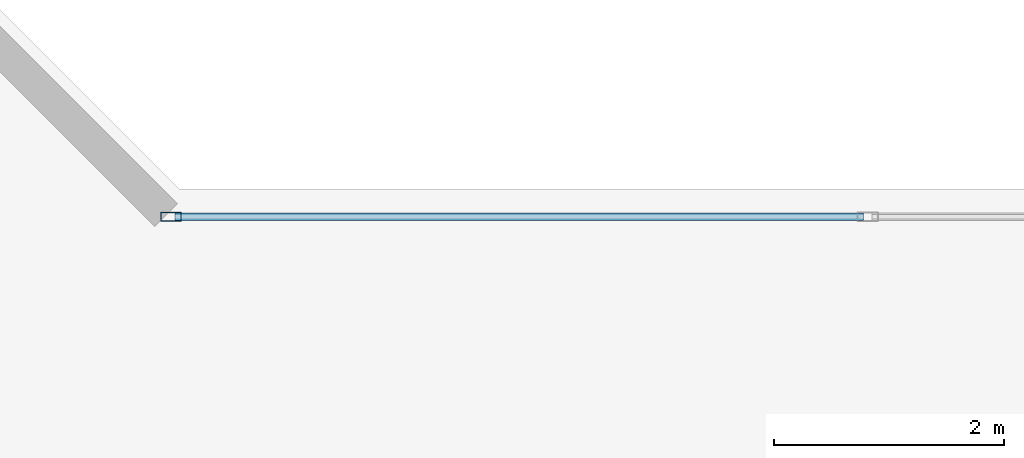
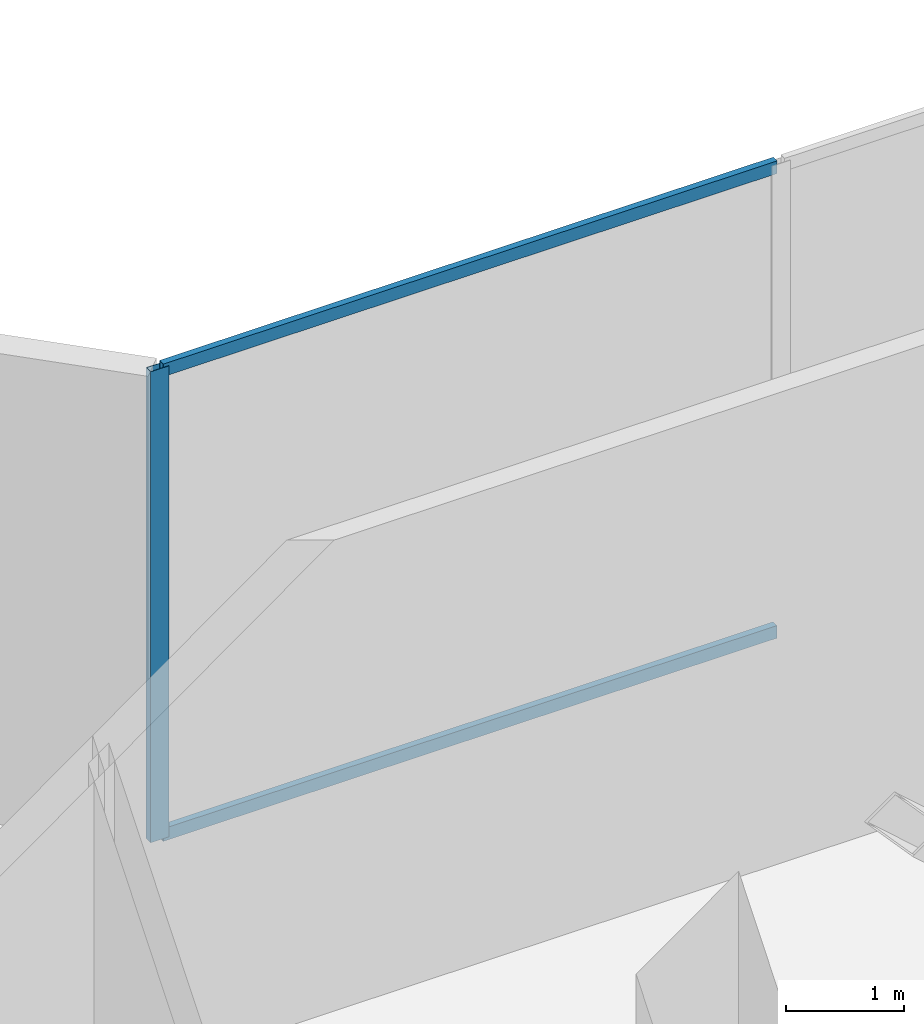
# One storey, part 12 of 37: 3 members, 1 element without a shape of its own.
"""IFC4 building model written with IfcOpenShell, lengths in metres."""

import ifcopenshell
import ifcopenshell.guid

model = None  # the IFC model being written
_history = None  # IfcOwnerHistory: only IFC2X3 demands one
_inside = {}  # id of a spatial element -> (the spatial element, [elements in it])
_under = {}  # id of a project, library or spatial element -> (it, [spatial elements below it])
_declared = {}  # id of a project -> (the project, [libraries it declares])
_typed = {}  # id of a type object -> (the type object, [elements of that type])
_made_of = {}  # id of a material, layer set ... -> (it, [elements and type objects made of it])


def new_model(schema):
    """Start an empty IFC model of exactly this schema.

    Asked for "IFC4X3", IfcOpenShell would pick the latest addendum, in which some entities
    have other attributes; the version numbers below select the first issue.
    IFC2X3 requires an IfcOwnerHistory on every rooted entity: one is made here for all.
    """
    global model, _history
    if schema == "IFC4X3":
        model = ifcopenshell.file(schema_version=(4, 3, 0, 0))
    else:
        model = ifcopenshell.file(schema=schema)
    _inside.clear()
    _under.clear()
    _declared.clear()
    _typed.clear()
    _made_of.clear()
    _history = None
    if model.schema == "IFC2X3":
        org = make("IfcOrganization", Name="unknown")
        user = make(
            "IfcPersonAndOrganization",
            ThePerson=make("IfcPerson", FamilyName="unknown"),
            TheOrganization=org,
        )
        app = make(
            "IfcApplication",
            ApplicationDeveloper=org,
            Version="unknown",
            ApplicationFullName="unknown",
            ApplicationIdentifier="unknown",
        )
        _history = make(
            "IfcOwnerHistory",
            OwningUser=user,
            OwningApplication=app,
            ChangeAction="ADDED",
            CreationDate=0,
        )
    return model


def make(cls, **values):
    """One entity of the class cls with the attributes given. An attribute that is None is left unset."""
    return model.create_entity(
        cls, **{name: value for name, value in values.items() if value is not None}
    )


def rooted(cls, **values):
    """An entity with a GlobalId (a new one), such as an element, a storey or a relation."""
    return make(cls, GlobalId=ifcopenshell.guid.new(), OwnerHistory=_history, **values)


def si_unit(unit_type, name, prefix=None):
    """IfcSIUnit, for example si_unit("LENGTHUNIT", "METRE", prefix="MILLI")."""
    return make("IfcSIUnit", UnitType=unit_type, Prefix=prefix, Name=name)


def assignment(units):
    """IfcUnitAssignment: the units of a project."""
    return None if units is None else make("IfcUnitAssignment", Units=units)


def point(xyz):
    """IfcCartesianPoint."""
    return None if xyz is None else make("IfcCartesianPoint", Coordinates=xyz)


def direction(xyz):
    """IfcDirection."""
    return None if xyz is None else make("IfcDirection", DirectionRatios=xyz)


def frame(location, z_axis=None, x_axis=None):
    """IfcAxis2Placement3D, a coordinate frame: its origin and axes. An axis left out is left unset."""
    return make(
        "IfcAxis2Placement3D",
        Location=point(location),
        Axis=direction(z_axis),
        RefDirection=direction(x_axis),
    )


def frame_2d(location, x_axis=None):
    """IfcAxis2Placement2D, a coordinate frame in the plane: its origin and x axis."""
    return make(
        "IfcAxis2Placement2D", Location=point(location), RefDirection=direction(x_axis)
    )


def origin():
    """The frame at (0, 0, 0) with its axes left unset."""
    return frame((0.0, 0.0, 0.0))


def origin_with_axes():
    """The frame at (0, 0, 0) with the z axis (0, 0, 1) and the x axis (1, 0, 0) written out."""
    return frame((0.0, 0.0, 0.0), z_axis=(0.0, 0.0, 1.0), x_axis=(1.0, 0.0, 0.0))


def origin_2d():
    """The frame at (0, 0) in the plane with its x axis left unset."""
    return frame_2d((0.0, 0.0))


def place(relative_to, where):
    """IfcLocalPlacement: puts the frame where relative to a parent placement (None: the world)."""
    return make(
        "IfcLocalPlacement", PlacementRelTo=relative_to, RelativePlacement=where
    )


def context(
    kind, dimensions, precision=None, world=None, true_north=None, identifier=None
):
    """IfcGeometricRepresentationContext, for example the 3D "Model" context."""
    return make(
        "IfcGeometricRepresentationContext",
        ContextIdentifier=identifier,
        ContextType=kind,
        CoordinateSpaceDimension=dimensions,
        Precision=precision,
        WorldCoordinateSystem=world,
        TrueNorth=true_north,
    )


def subcontext(parent, identifier, kind, view, scale=None):
    """IfcGeometricRepresentationSubContext, for example "Body" below "Model"."""
    return make(
        "IfcGeometricRepresentationSubContext",
        ContextIdentifier=identifier,
        ContextType=kind,
        ParentContext=parent,
        TargetScale=scale,
        TargetView=view,
    )


def project(units=None, contexts=None):
    """IfcProject with its units and contexts."""
    return rooted(
        "IfcProject",
        Name="project",
        RepresentationContexts=contexts,
        UnitsInContext=assignment(units),
    )


def spatial(cls, under=None, at=None, **own):
    """A site, building, storey or space (cls), placed at a placement, below another one or the project."""
    s = rooted(cls, ObjectPlacement=at, **own)
    if under is not None:
        _under.setdefault(under.id(), (under, []))[1].append(s)
    return s


def profile(cls, at=None, kind="AREA", **sizes):
    """A parametric profile (cls). Its sizes go by their IFC names, for example OverallWidth=200.0."""
    return make(cls, ProfileType=kind, Position=at, **sizes)


def hollow_rectangle(**sizes):
    """IfcRectangleHollowProfileDef."""
    return profile("IfcRectangleHollowProfileDef", **sizes)


def extrude(swept, where, along, depth):
    """IfcExtrudedAreaSolid: the profile swept, set in the frame where, extruded along a direction by depth."""
    return make(
        "IfcExtrudedAreaSolid",
        SweptArea=swept,
        Position=where,
        ExtrudedDirection=direction(along),
        Depth=depth,
    )


def shape(context_of_items, identifier, shape_type, items):
    """IfcShapeRepresentation: the items that make up one representation, for example the "Body"."""
    return make(
        "IfcShapeRepresentation",
        ContextOfItems=context_of_items,
        RepresentationIdentifier=identifier,
        RepresentationType=shape_type,
        Items=items,
    )


def source(mapping_origin, context_of_items, identifier, shape_type, items):
    """IfcRepresentationMap: a shape defined once, which mapped items show again and again."""
    return make(
        "IfcRepresentationMap",
        MappingOrigin=mapping_origin,
        MappedRepresentation=shape(context_of_items, identifier, shape_type, items),
    )


def transform(
    local_origin,
    x_axis=None,
    y_axis=None,
    z_axis=None,
    scale=None,
    scale2=None,
    scale3=None,
    uniform=True,
):
    """IfcCartesianTransformationOperator3D, or its non-uniform kind. x_axis, y_axis, z_axis: its Axis1, 2, 3."""
    if uniform:
        return make(
            "IfcCartesianTransformationOperator3D",
            Axis1=direction(x_axis),
            Axis2=direction(y_axis),
            LocalOrigin=point(local_origin),
            Scale=scale,
            Axis3=direction(z_axis),
        )
    return make(
        "IfcCartesianTransformationOperator3DnonUniform",
        Axis1=direction(x_axis),
        Axis2=direction(y_axis),
        LocalOrigin=point(local_origin),
        Scale=scale,
        Axis3=direction(z_axis),
        Scale2=scale2,
        Scale3=scale3,
    )


def mapped(mapping_source, mapping_target):
    """IfcMappedItem: shows the shape of a source again, moved by a transform."""
    return make(
        "IfcMappedItem", MappingSource=mapping_source, MappingTarget=mapping_target
    )


def material(Name=None, Category=None):
    """IfcMaterial."""
    return make("IfcMaterial", Name=Name, Category=Category)


def layer(
    of_material, thickness, ventilated=None, Name=None, Category=None, Priority=None
):
    """IfcMaterialLayer: one layer of a wall or slab, of a material (None: an air gap)."""
    return make(
        "IfcMaterialLayer",
        Material=of_material,
        LayerThickness=thickness,
        IsVentilated=ventilated,
        Name=Name,
        Category=Category,
        Priority=Priority,
    )


def layer_set(layers, Name=None):
    """IfcMaterialLayerSet."""
    return make("IfcMaterialLayerSet", MaterialLayers=layers, LayerSetName=Name)


def material_profile(
    of_material, cross_section, Name=None, Category=None, Priority=None
):
    """IfcMaterialProfile: a cross section and its material."""
    return make(
        "IfcMaterialProfile",
        Name=Name,
        Material=of_material,
        Profile=cross_section,
        Priority=Priority,
        Category=Category,
    )


def profile_set(profiles, Name=None, composite=None):
    """IfcMaterialProfileSet."""
    return make(
        "IfcMaterialProfileSet",
        Name=Name,
        MaterialProfiles=profiles,
        CompositeProfile=composite,
    )


def made_of(thing, what):
    """Note that an element or type object is made of a material, layer set ...; save() writes the relation."""
    if what is not None:
        _made_of.setdefault(what.id(), (what, []))[1].append(thing)
    return thing


def type_object(cls, material=None, **own):
    """A type object (cls), such as IfcWallType, which elements share."""
    return made_of(rooted(cls, **own), material)


def element(
    cls,
    number,
    at=None,
    inside=None,
    cuts=None,
    type_object=None,
    material=None,
    context=None,
    identifier="Body",
    shape_type=None,
    held_by="IfcProductDefinitionShape",
    body=None,
    shapes=None,
    **own,
):
    """One element of the class cls, such as IfcWall. Its Tag is "e" and its number.

    at: its placement. inside: the storey or other place that contains it. cuts: it is an
    opening in that element (IfcRelVoidsElement). A single representation is given by context,
    identifier, shape_type and body (its items); several are given by shapes. held_by: the class
    of the entity that holds the representations. save() writes the other relations.
    """
    e = rooted(cls, Tag="e%d" % number, ObjectPlacement=at, **own)
    if body is not None:
        shapes = [shape(context, identifier, shape_type, body)]
    if shapes is not None:
        e.Representation = make(held_by, Representations=shapes)
    if inside is not None:
        _inside.setdefault(inside.id(), (inside, []))[1].append(e)
    if cuts is not None:
        rooted(
            "IfcRelVoidsElement", RelatingBuildingElement=cuts, RelatedOpeningElement=e
        )
    if type_object is not None:
        _typed.setdefault(type_object.id(), (type_object, []))[1].append(e)
    return made_of(e, material)


def aggregate(whole, parts):
    """IfcRelAggregates: a whole, such as a stair, and the parts it consists of."""
    return rooted("IfcRelAggregates", RelatingObject=whole, RelatedObjects=parts)


def save(model, path):
    """Write the relations noted so far, then the file.

    IfcRelAggregates (storeys below a building ...), IfcRelContainedInSpatialStructure (elements
    in a storey), IfcRelDefinesByType, IfcRelAssociatesMaterial and IfcRelDeclares: one each for
    every whole, place, type object, material and project.
    """
    for whole, parts in _under.values():
        aggregate(whole, parts)
    for where, things in _inside.values():
        rooted(
            "IfcRelContainedInSpatialStructure",
            RelatedElements=things,
            RelatingStructure=where,
        )
    for kind, things in _typed.values():
        rooted("IfcRelDefinesByType", RelatedObjects=things, RelatingType=kind)
    for what, things in _made_of.values():
        rooted("IfcRelAssociatesMaterial", RelatedObjects=things, RelatingMaterial=what)
    for by, libraries in _declared.values():
        rooted("IfcRelDeclares", RelatingContext=by, RelatedDefinitions=libraries)
    model.write(path)


model = new_model("IFC4")

# Units and contexts
model_context = context("Model", 3, precision=1e-05, world=origin(), true_north=direction((0.0, 1.0)))
body_context = subcontext(model_context, "Body", "Model", "MODEL_VIEW")
ifc_project = project(units=[si_unit("LENGTHUNIT", "METRE"), si_unit("AREAUNIT", "SQUARE_METRE"), si_unit("VOLUMEUNIT", "CUBIC_METRE"), si_unit("PLANEANGLEUNIT", "RADIAN"), si_unit("MASSUNIT", "GRAM", prefix="KILO")], contexts=[model_context])

# Site, building, storey
site_placement = place(None, origin())
site = spatial("IfcSite", under=ifc_project, at=site_placement, CompositionType="ELEMENT")
building_placement = place(site_placement, origin())
building = spatial("IfcBuilding", under=site, at=building_placement, Name="Kolvaren Waterfront Exchange", CompositionType="ELEMENT")
storey_placement = place(building_placement, frame((0.0, 0.0, 141.10009765625)))
storey = spatial("IfcBuildingStorey", under=building, at=storey_placement, Name="L36", CompositionType="ELEMENT", Elevation=141.10009765625)

# Curtain wall, members
ifc_material_1 = material(Name="Anodised dark bronze spandrel aluminium", Category="aluminium")
ifc_layer = layer(ifc_material_1, 0.219970703125, Name="Anodised dark bronze spandrel aluminium")
ifc_layer_set = layer_set([ifc_layer], Name="Anodised dark bronze spandrel aluminium")
curtain_wall_type = type_object("IfcCurtainWallType", Name="ARC-CW-SYS6", PredefinedType="USERDEFINED", material=ifc_layer_set)
curtain_wall_placement = place(storey_placement, origin())
curtain_wall = element("IfcCurtainWall", 1, at=curtain_wall_placement, inside=storey, type_object=curtain_wall_type, Name="L36 stick curtain wall CW6 (CW-L36-EN)", ObjectType="STICK CURTAIN WALL", PredefinedType="USERDEFINED")
ifc_material_2 = material(Name="Anodised bronze aluminium 6063-T6", Category="aluminium")
ifc_material_profile_1 = material_profile(ifc_material_2, hollow_rectangle(XDim=0.074951171875, YDim=0.179931640625, WallThickness=0.00439453125, at=origin_2d()), Name="ALU-MUL-180x75x4.5")
ifc_profile_set_1 = profile_set([ifc_material_profile_1], Name="Anodised bronze aluminium 6063-T6")
member_type_1 = type_object("IfcMemberType", Name="ARC-CWM-180", PredefinedType="MULLION", material=ifc_profile_set_1)
shared_shape_1 = source(origin_with_axes(), body_context, "Body", "SweptSolid", [
    extrude(hollow_rectangle(XDim=0.074951171875, YDim=0.179931640625, WallThickness=0.00439453125, at=origin_2d()), origin(), (0.0, 0.0, 1.0), 4.85986328125),
])
member_1_placement = place(storey_placement, frame((30.327392578125, 23.9599609375, 0.0), z_axis=(0.0, 0.0, 1.0), x_axis=(0.0, 1.0, 0.0)))
member_1 = element("IfcMember", 2, at=member_1_placement, type_object=member_type_1, Name="CW6 mullion 1", PredefinedType="MULLION", context=body_context, shape_type="MappedRepresentation", body=[
    mapped(shared_shape_1, transform((0.0, 0.0, 0.0), x_axis=(1.0, 0.0, 0.0), y_axis=(0.0, 1.0, 0.0), z_axis=(0.0, 0.0, 1.0), scale=1.0)),
])
ifc_material_profile_2 = material_profile(ifc_material_2, hollow_rectangle(XDim=0.06494140625, YDim=0.1298828125, WallThickness=0.00390625, at=origin_2d()), Name="ALU-TRN-130x65x4")
ifc_profile_set_2 = profile_set([ifc_material_profile_2], Name="Anodised bronze aluminium 6063-T6")
member_type_2 = type_object("IfcMemberType", Name="ARC-CWT-130", PredefinedType="USERDEFINED", material=ifc_profile_set_2)
shared_shape_2 = source(origin_with_axes(), body_context, "Body", "SweptSolid", [
    extrude(hollow_rectangle(XDim=0.06494140625, YDim=0.1298828125, WallThickness=0.00390625, at=origin_2d()), origin(), (0.0, 0.0, 1.0), 5.989990234375),
])
member_2_placement = place(storey_placement, frame((30.364990234375, 23.9599609375, 0.032470703125), z_axis=(1.0, 0.0, 0.0), x_axis=(0.0, 1.0, 0.0)))
member_2 = element("IfcMember", 3, at=member_2_placement, type_object=member_type_2, Name="CW6 transom 1.1", ObjectType="TRANSOM", PredefinedType="USERDEFINED", context=body_context, shape_type="MappedRepresentation", body=[
    mapped(shared_shape_2, transform((0.0, 0.0, 0.0), x_axis=(1.0, 0.0, 0.0), y_axis=(0.0, 1.0, 0.0), z_axis=(0.0, 0.0, 1.0), scale=1.0)),
])
member_3_placement = place(storey_placement, frame((30.364990234375, 23.9599609375, 4.827392578125), z_axis=(1.0, 0.0, 0.0), x_axis=(0.0, 1.0, 0.0)))
member_3 = element("IfcMember", 4, at=member_3_placement, type_object=member_type_2, Name="CW6 transom 1.2", ObjectType="TRANSOM", PredefinedType="USERDEFINED", context=body_context, shape_type="MappedRepresentation", body=[
    mapped(shared_shape_2, transform((0.0, 0.0, 0.0), x_axis=(1.0, 0.0, 0.0), y_axis=(0.0, 1.0, 0.0), z_axis=(0.0, 0.0, 1.0), scale=1.0)),
])
aggregate(curtain_wall, [member_1, member_2, member_3])

save(model, "model.ifc")
